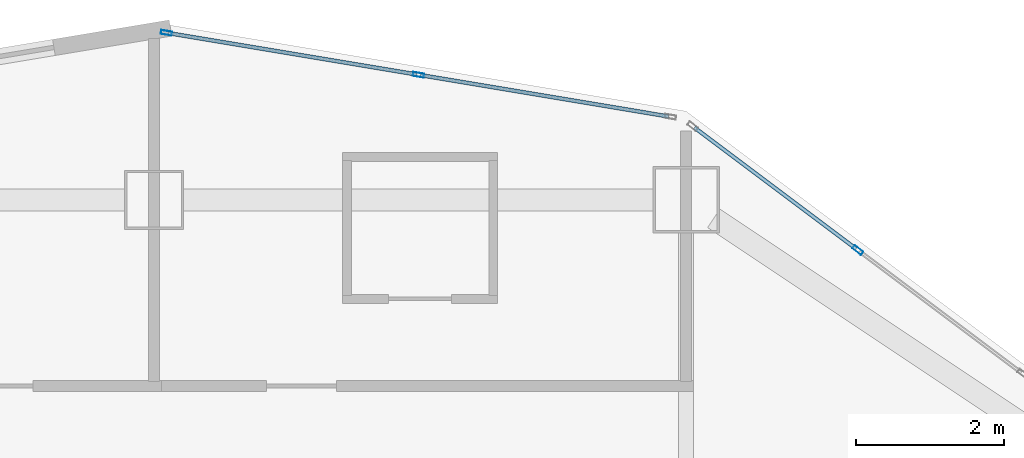
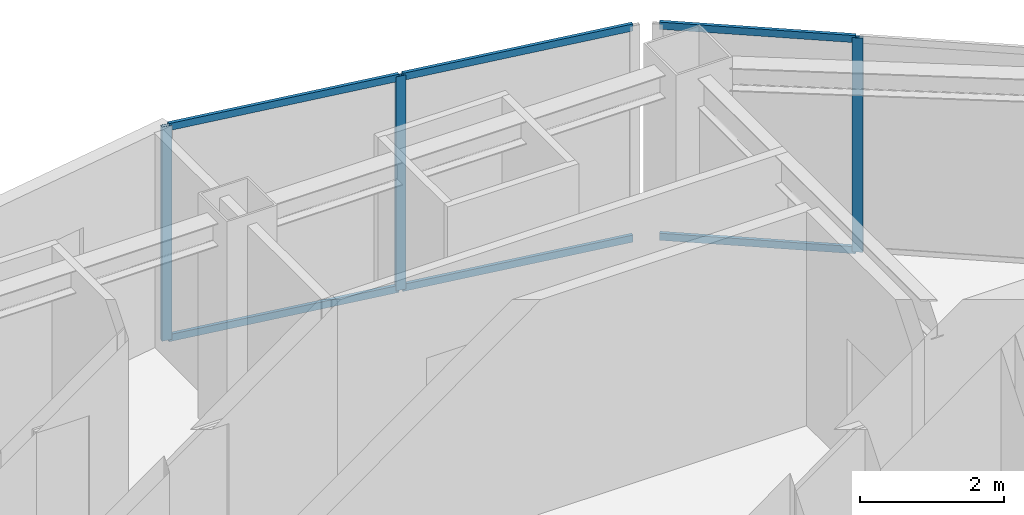
# One storey, part 2 of 13: 9 members, 2 elements without a shape of their own.
"""IFC4 building model written with IfcOpenShell, lengths in metres."""

from ifc_helpers import new_model, si_unit, direction, frame, origin, origin_2d, place, context, subcontext, project, spatial, hollow_rectangle, extrude, material, layer, layer_set, material_profile, profile_set, type_object, element, aggregate, save


model = new_model("IFC4")

# Units and contexts
model_context = context("Model", 3, precision=1e-05, world=origin(), true_north=direction((0.0, 1.0)))
body_context = subcontext(model_context, "Body", "Model", "MODEL_VIEW")
ifc_project = project(units=[si_unit("LENGTHUNIT", "METRE"), si_unit("AREAUNIT", "SQUARE_METRE"), si_unit("VOLUMEUNIT", "CUBIC_METRE"), si_unit("PLANEANGLEUNIT", "RADIAN"), si_unit("MASSUNIT", "GRAM", prefix="KILO")], contexts=[model_context])

# Site, building, storey
site_placement = place(None, origin())
site = spatial("IfcSite", under=ifc_project, at=site_placement, CompositionType="ELEMENT")
building_placement = place(site_placement, origin())
building = spatial("IfcBuilding", under=site, at=building_placement, Name="Haolan Belvedere Tower", CompositionType="ELEMENT")
storey_placement = place(building_placement, frame((0.0, 0.0, 219.199951171875)))
storey = spatial("IfcBuildingStorey", under=building, at=storey_placement, Name="L55", CompositionType="ELEMENT", Elevation=219.199951171875)

# Curtain wall, member
ifc_material_1 = material(Name="Anodised champagne-silver aluminium 6063-T6 and Low-E glass", Category="aluminium")
ifc_layer = layer(ifc_material_1, 0.14990234375, Name="Anodised champagne-silver aluminium 6063-T6 and Low-E glass")
ifc_layer_set = layer_set([ifc_layer], Name="Anodised champagne-silver aluminium 6063-T6 and Low-E glass")
curtain_wall_type = type_object("IfcCurtainWallType", Name="CW-SYS-04", PredefinedType="NOTDEFINED", material=ifc_layer_set)
curtain_wall_1_placement = place(storey_placement, origin())
curtain_wall_1 = element("IfcCurtainWall", 1, at=curtain_wall_1_placement, inside=storey, type_object=curtain_wall_type, Name="L55 CW-SYS-04 ribbon curtain wall 20.1", PredefinedType="NOTDEFINED")
ifc_material_2 = material(Name="Anodised aluminium 6063-T6", Category="aluminium")
ifc_material_profile_1 = material_profile(ifc_material_2, hollow_rectangle(XDim=0.055908203125, YDim=0.14990234375, WallThickness=0.00390625, at=origin_2d()), Name="Anodised aluminium 6063-T6")
ifc_profile_set_1 = profile_set([ifc_material_profile_1], Name="Anodised aluminium 6063-T6")
member_type_1 = type_object("IfcMemberType", Name="CW-SYS-04-MUL", PredefinedType="MULLION", material=ifc_profile_set_1)
member_1_placement = place(storey_placement, frame((47.9228515625, 49.720458984375, 0.0), z_axis=(0.0, 0.0, 1.0), x_axis=(-0.600002837806, -0.799997871638, 0.0)))
member_1 = element("IfcMember", 2, at=member_1_placement, type_object=member_type_1, Name="CW-04 mullion 2", PredefinedType="MULLION", context=body_context, shape_type="SweptSolid", body=[
    extrude(hollow_rectangle(XDim=0.055908203125, YDim=0.14990234375, WallThickness=0.00390625, at=origin_2d()), origin(), (0.0, 0.0, 1.0), 3.6201171875),
])

# Curtain wall, members
curtain_wall_2_placement = place(storey_placement, origin())
curtain_wall_2 = element("IfcCurtainWall", 3, at=curtain_wall_2_placement, inside=storey, type_object=curtain_wall_type, Name="L55 CW-SYS-04 ribbon curtain wall 21.1", PredefinedType="NOTDEFINED")
member_2_placement = place(storey_placement, frame((41.977783203125, 52.09228515625, 0.0), z_axis=(0.0, 0.0, 1.0), x_axis=(-0.164405962825, -0.98639276122, 0.0)))
member_2 = element("IfcMember", 4, at=member_2_placement, type_object=member_type_1, Name="CW-04 mullion 2", PredefinedType="MULLION", context=body_context, shape_type="SweptSolid", body=[
    extrude(hollow_rectangle(XDim=0.055908203125, YDim=0.14990234375, WallThickness=0.00390625, at=origin_2d()), origin(), (0.0, 0.0, 1.0), 3.6201171875),
])
member_3_placement = place(storey_placement, frame((38.565673828125, 52.660888671875, 0.0), z_axis=(0.0, 0.0, 1.0), x_axis=(-0.164405962825, -0.98639276122, 0.0)))
member_3 = element("IfcMember", 5, at=member_3_placement, type_object=member_type_1, Name="CW-04 mullion 3", PredefinedType="MULLION", context=body_context, shape_type="SweptSolid", body=[
    extrude(hollow_rectangle(XDim=0.055908203125, YDim=0.14990234375, WallThickness=0.00390625, at=origin_2d()), origin(), (0.0, 0.0, 1.0), 3.6201171875),
])

# Member
ifc_material_profile_2 = material_profile(ifc_material_2, hollow_rectangle(XDim=0.052001953125, YDim=0.1201171875, WallThickness=0.00390625, at=origin_2d()), Name="Anodised aluminium 6063-T6")
ifc_profile_set_2 = profile_set([ifc_material_profile_2], Name="Anodised aluminium 6063-T6")
member_type_2 = type_object("IfcMemberType", Name="CW-SYS-04-TRN", PredefinedType="USERDEFINED", material=ifc_profile_set_2)
member_4_placement = place(storey_placement, frame((47.900390625, 49.7373046875, 0.026123046875), z_axis=(-0.799978576274, 0.600028563905, 0.0), x_axis=(-0.600028563905, -0.799978576274, 0.0)))
member_4 = element("IfcMember", 6, at=member_4_placement, type_object=member_type_2, Name="CW-04 transom 2.1", ObjectType="TRANSOM", PredefinedType="USERDEFINED", context=body_context, shape_type="SweptSolid", body=[
    extrude(hollow_rectangle(XDim=0.052001953125, YDim=0.1201171875, WallThickness=0.00390625, at=origin_2d()), origin(), (0.0, 0.0, 1.0), 2.735107421875),
])

member_5_placement = place(storey_placement, frame((47.900390625, 49.7373046875, 3.593994140625), z_axis=(-0.799978576274, 0.600028563905, 0.0), x_axis=(-0.600028563905, -0.799978576274, 0.0)))
member_5 = element("IfcMember", 7, at=member_5_placement, type_object=member_type_2, Name="CW-04 transom 2.2", ObjectType="TRANSOM", PredefinedType="USERDEFINED", context=body_context, shape_type="SweptSolid", body=[
    extrude(hollow_rectangle(XDim=0.052001953125, YDim=0.1201171875, WallThickness=0.00390625, at=origin_2d()), origin(), (0.0, 0.0, 1.0), 2.735107421875),
])

aggregate(curtain_wall_1, [member_1, member_4, member_5])

member_6_placement = place(storey_placement, frame((45.362060546875, 51.528076171875, 0.026123046875), z_axis=(-0.986388106252, 0.164433888976, 0.0), x_axis=(-0.164433888976, -0.986388106252, 0.0)))
member_6 = element("IfcMember", 8, at=member_6_placement, type_object=member_type_2, Name="CW-04 transom 1.1", ObjectType="TRANSOM", PredefinedType="USERDEFINED", context=body_context, shape_type="SweptSolid", body=[
    extrude(hollow_rectangle(XDim=0.052001953125, YDim=0.1201171875, WallThickness=0.00390625, at=origin_2d()), origin(), (0.0, 0.0, 1.0), 3.403076171875),
])

member_7_placement = place(storey_placement, frame((45.362060546875, 51.528076171875, 3.593994140625), z_axis=(-0.986388106252, 0.164433888976, 0.0), x_axis=(-0.164433888976, -0.986388106252, 0.0)))
member_7 = element("IfcMember", 9, at=member_7_placement, type_object=member_type_2, Name="CW-04 transom 1.2", ObjectType="TRANSOM", PredefinedType="USERDEFINED", context=body_context, shape_type="SweptSolid", body=[
    extrude(hollow_rectangle(XDim=0.052001953125, YDim=0.1201171875, WallThickness=0.00390625, at=origin_2d()), origin(), (0.0, 0.0, 1.0), 3.403076171875),
])

member_8_placement = place(storey_placement, frame((41.9501953125, 52.096923828125, 0.026123046875), z_axis=(-0.986401678227, 0.164352454169, 0.0), x_axis=(-0.164352454169, -0.986401678227, 0.0)))
member_8 = element("IfcMember", 10, at=member_8_placement, type_object=member_type_2, Name="CW-04 transom 2.1", ObjectType="TRANSOM", PredefinedType="USERDEFINED", context=body_context, shape_type="SweptSolid", body=[
    extrude(hollow_rectangle(XDim=0.052001953125, YDim=0.1201171875, WallThickness=0.00390625, at=origin_2d()), origin(), (0.0, 0.0, 1.0), 3.4033203125),
])

member_9_placement = place(storey_placement, frame((41.9501953125, 52.096923828125, 3.593994140625), z_axis=(-0.986401678227, 0.164352454169, 0.0), x_axis=(-0.164352454169, -0.986401678227, 0.0)))
member_9 = element("IfcMember", 11, at=member_9_placement, type_object=member_type_2, Name="CW-04 transom 2.2", ObjectType="TRANSOM", PredefinedType="USERDEFINED", context=body_context, shape_type="SweptSolid", body=[
    extrude(hollow_rectangle(XDim=0.052001953125, YDim=0.1201171875, WallThickness=0.00390625, at=origin_2d()), origin(), (0.0, 0.0, 1.0), 3.4033203125),
])

aggregate(curtain_wall_2, [member_2, member_3, member_6, member_7, member_8, member_9])

save(model, "model.ifc")
